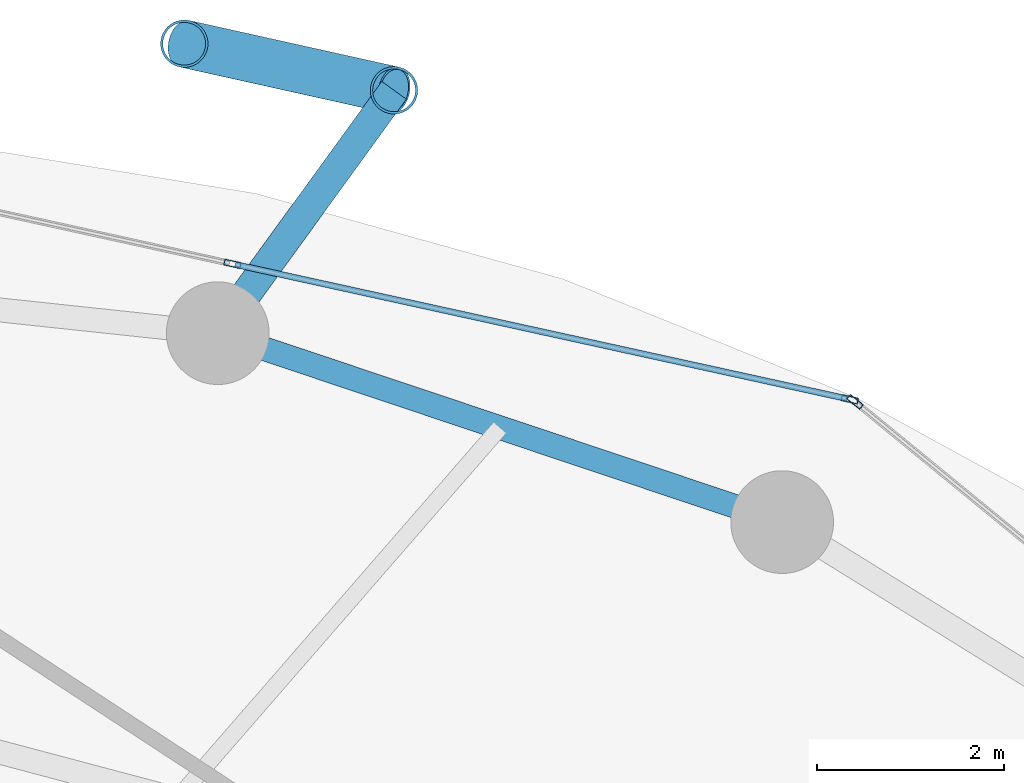
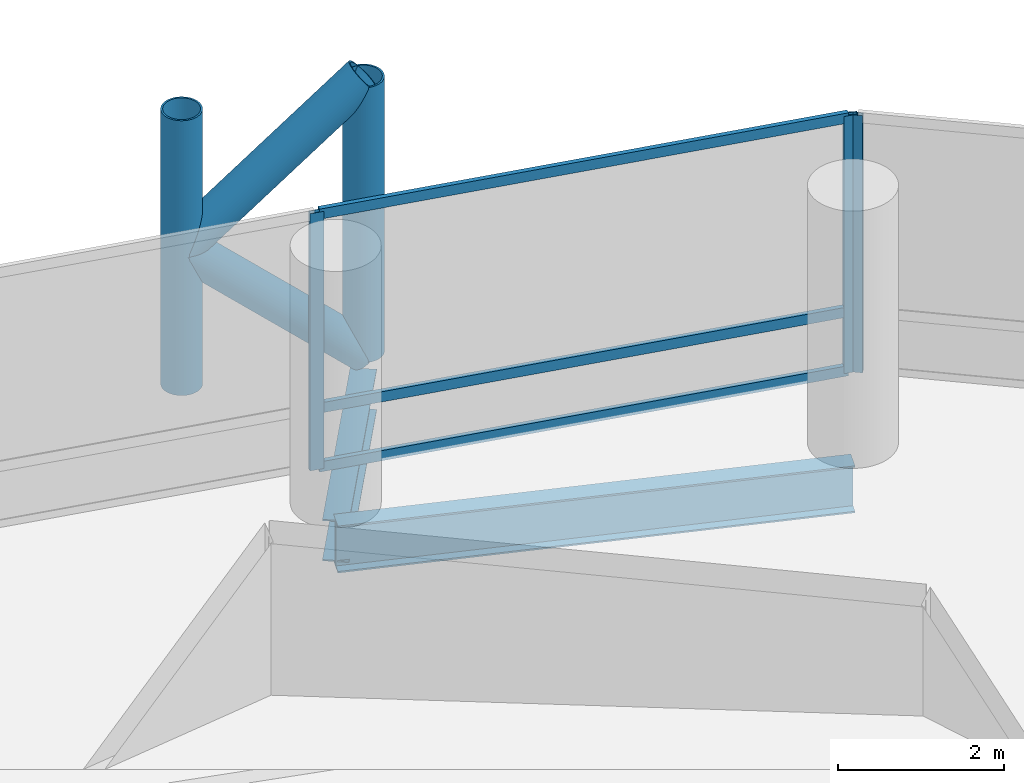
# One storey, part 18 of 24: 10 members, 2 beams, 2 elements without a shape of their own.
"""IFC4 building model written with IfcOpenShell, lengths in metres."""

from ifc_helpers import new_model, si_unit, direction, frame, origin, origin_2d, place, context, subcontext, project, spatial, hollow_rectangle, hollow_circle, i_section, extrude, material, layer, layer_set, material_profile, profile_set, type_object, element, aggregate, save


model = new_model("IFC4")

# Units and contexts
model_context = context("Model", 3, precision=1e-05, world=origin(), true_north=direction((0.0, 1.0)))
body_context = subcontext(model_context, "Body", "Model", "MODEL_VIEW")
ifc_project = project(units=[si_unit("LENGTHUNIT", "METRE"), si_unit("AREAUNIT", "SQUARE_METRE"), si_unit("VOLUMEUNIT", "CUBIC_METRE"), si_unit("PLANEANGLEUNIT", "RADIAN"), si_unit("MASSUNIT", "GRAM", prefix="KILO")], contexts=[model_context])

# Site, building, storey
site_placement = place(None, origin())
site = spatial("IfcSite", under=ifc_project, at=site_placement, CompositionType="ELEMENT")
building_placement = place(site_placement, origin())
building = spatial("IfcBuilding", under=site, at=building_placement, Name="Nuhasar Tower", CompositionType="ELEMENT")
storey_placement = place(building_placement, frame((0.0, 0.0, 41.25)))
storey = spatial("IfcBuildingStorey", under=building, at=storey_placement, Name="L09", CompositionType="ELEMENT", Elevation=41.25)

# Beams
ifc_material_1 = material(Name="Steel S355", Category="steel")
ifc_material_profile_1 = material_profile(ifc_material_1, i_section(OverallWidth=0.256103515625, OverallDepth=0.693115234375, WebThickness=0.014404296875, FlangeThickness=0.023681640625, at=origin_2d()), Name="W27X114")
ifc_profile_set_1 = profile_set([ifc_material_profile_1], Name="Steel S355")
beam_type_1 = type_object("IfcBeamType", Name="BM-RING-W27X114", PredefinedType="SPANDREL", material=ifc_profile_set_1)
beam_1_placement = place(storey_placement, frame((51.52490234375, 44.3369140625, -0.60595703125), z_axis=(-0.948249435708, 0.317526388949, 0.0), x_axis=(-0.317526388949, -0.948249435708, 0.0)))
element("IfcBeam", 1, at=beam_1_placement, inside=storey, type_object=beam_type_1, Name="L09 Perimeter Ring Spandrel 05", PredefinedType="SPANDREL", context=body_context, shape_type="SweptSolid", body=[
    extrude(i_section(OverallWidth=0.256103515625, OverallDepth=0.693115234375, WebThickness=0.014404296875, FlangeThickness=0.023681640625, at=origin_2d()), origin(), (0.0, 0.0, 1.0), 6.371826171875),
])
ifc_material_profile_2 = material_profile(ifc_material_1, i_section(OverallWidth=0.323974609375, OverallDepth=0.611083984375, WebThickness=0.0126953125, FlangeThickness=0.01904296875, at=origin_2d()), Name="W24X104")
ifc_profile_set_2 = profile_set([ifc_material_profile_2], Name="Steel S355")
beam_type_2 = type_object("IfcBeamType", Name="BM-TIE-W24X104", PredefinedType="BEAM", material=ifc_profile_set_2)
beam_2_placement = place(storey_placement, frame((45.48291015625, 46.360107421875, -0.56591796875), z_axis=(0.587439442414, 0.809268127073, 0.0), x_axis=(-0.809268127073, 0.587439442414, 0.0)))
element("IfcBeam", 2, at=beam_2_placement, inside=storey, type_object=beam_type_2, Name="L09 Exoskeleton Node Tie Beam 03", PredefinedType="BEAM", context=body_context, shape_type="SweptSolid", body=[
    extrude(i_section(OverallWidth=0.323974609375, OverallDepth=0.611083984375, WebThickness=0.0126953125, FlangeThickness=0.01904296875, at=origin_2d()), origin(), (0.0, 0.0, 1.0), 3.212646484375),
])

# Curtain wall, member
ifc_material_2 = material(Name="Aluminium 6063-T6", Category="aluminium")
ifc_layer = layer(ifc_material_2, 0.199951171875)
ifc_layer_set = layer_set([ifc_layer], Name="Aluminium 6063-T6")
curtain_wall_type = type_object("IfcCurtainWallType", Name="CW-Z1-OFF", PredefinedType="NOTDEFINED", material=ifc_layer_set)
curtain_wall_1_placement = place(storey_placement, origin())
curtain_wall_1 = element("IfcCurtainWall", 3, at=curtain_wall_1_placement, inside=storey, type_object=curtain_wall_type, Name="L09 Unitised Curtain Wall 02", PredefinedType="NOTDEFINED")
ifc_material_profile_3 = material_profile(ifc_material_2, hollow_rectangle(XDim=0.06494140625, YDim=0.179931640625, WallThickness=0.0048828125, at=origin_2d()), Name="CWM-2")
ifc_profile_set_3 = profile_set([ifc_material_profile_3], Name="Aluminium 6063-T6")
member_type_1 = type_object("IfcMemberType", Name="CW-MUL-S2", PredefinedType="MULLION", material=ifc_profile_set_3)
member_1_placement = place(storey_placement, frame((52.30517578125, 45.62451171875, 0.0), z_axis=(0.0, 0.0, 1.0), x_axis=(-0.633744593376, -0.773542364946, 0.0)))
member_1 = element("IfcMember", 4, at=member_1_placement, type_object=member_type_1, Name="CW-Z1 mullion 2", PredefinedType="MULLION", context=body_context, shape_type="SweptSolid", body=[
    extrude(hollow_rectangle(XDim=0.06494140625, YDim=0.179931640625, WallThickness=0.0048828125, at=origin_2d()), origin(), (0.0, 0.0, 1.0), 3.7900390625),
])
aggregate(curtain_wall_1, [member_1])

# Curtain wall, members
curtain_wall_2_placement = place(storey_placement, origin())
curtain_wall_2 = element("IfcCurtainWall", 5, at=curtain_wall_2_placement, inside=storey, type_object=curtain_wall_type, Name="L09 Unitised Curtain Wall 03", PredefinedType="NOTDEFINED")
member_2_placement = place(storey_placement, frame((52.248291015625, 45.65185546875, 0.0), z_axis=(0.0, 0.0, 1.0), x_axis=(-0.214398737637, -0.976746221544, 0.0)))
member_2 = element("IfcMember", 6, at=member_2_placement, type_object=member_type_1, Name="CW-Z1 mullion 1", PredefinedType="MULLION", context=body_context, shape_type="SweptSolid", body=[
    extrude(hollow_rectangle(XDim=0.06494140625, YDim=0.179931640625, WallThickness=0.0048828125, at=origin_2d()), origin(), (0.0, 0.0, 1.0), 3.7900390625),
])
member_3_placement = place(storey_placement, frame((45.639892578125, 47.1025390625, 0.0), z_axis=(0.0, 0.0, 1.0), x_axis=(-0.214398737637, -0.976746221544, 0.0)))
member_3 = element("IfcMember", 7, at=member_3_placement, type_object=member_type_1, Name="CW-Z1 mullion 2", PredefinedType="MULLION", context=body_context, shape_type="SweptSolid", body=[
    extrude(hollow_rectangle(XDim=0.06494140625, YDim=0.179931640625, WallThickness=0.0048828125, at=origin_2d()), origin(), (0.0, 0.0, 1.0), 3.7900390625),
])
ifc_material_profile_4 = material_profile(ifc_material_2, hollow_rectangle(XDim=0.06494140625, YDim=0.14990234375, WallThickness=0.00439453125, at=origin_2d()), Name="CWT-2")
ifc_profile_set_4 = profile_set([ifc_material_profile_4], Name="Aluminium 6063-T6")
member_type_2 = type_object("IfcMemberType", Name="CW-TRN-S2", PredefinedType="USERDEFINED", material=ifc_profile_set_4)
member_4_placement = place(storey_placement, frame((52.216552734375, 45.658935546875, 0.032470703125), z_axis=(-0.976749553792, 0.214383556196, 0.0), x_axis=(-0.214383556196, -0.976749553792, 0.0)))
member_4 = element("IfcMember", 8, at=member_4_placement, type_object=member_type_2, Name="CW-Z1 transom 1.1", ObjectType="TRANSOM", PredefinedType="USERDEFINED", context=body_context, shape_type="SweptSolid", body=[
    extrude(hollow_rectangle(XDim=0.06494140625, YDim=0.14990234375, WallThickness=0.00439453125, at=origin_2d()), origin(), (0.0, 0.0, 1.0), 6.70068359375),
])
member_5_placement = place(storey_placement, frame((52.216552734375, 45.658935546875, 0.89990234375), z_axis=(-0.976749553792, 0.214383556196, 0.0), x_axis=(-0.214383556196, -0.976749553792, 0.0)))
member_5 = element("IfcMember", 9, at=member_5_placement, type_object=member_type_2, Name="CW-Z1 transom 1.2", ObjectType="TRANSOM", PredefinedType="USERDEFINED", context=body_context, shape_type="SweptSolid", body=[
    extrude(hollow_rectangle(XDim=0.06494140625, YDim=0.14990234375, WallThickness=0.00439453125, at=origin_2d()), origin(), (0.0, 0.0, 1.0), 6.70068359375),
])
member_6_placement = place(storey_placement, frame((52.216552734375, 45.658935546875, 3.757568359375), z_axis=(-0.976749553792, 0.214383556196, 0.0), x_axis=(-0.214383556196, -0.976749553792, 0.0)))
member_6 = element("IfcMember", 10, at=member_6_placement, type_object=member_type_2, Name="CW-Z1 transom 1.3", ObjectType="TRANSOM", PredefinedType="USERDEFINED", context=body_context, shape_type="SweptSolid", body=[
    extrude(hollow_rectangle(XDim=0.06494140625, YDim=0.14990234375, WallThickness=0.00439453125, at=origin_2d()), origin(), (0.0, 0.0, 1.0), 6.70068359375),
])
aggregate(curtain_wall_2, [member_2, member_3, member_4, member_5, member_6])

# Members
ifc_material_3 = material(Name="Steel S460", Category="steel")
ifc_material_profile_5 = material_profile(ifc_material_3, hollow_circle(Radius=0.25390625, WallThickness=0.025390625, at=origin_2d()), Name="HSS508X25.4")
ifc_profile_set_5 = profile_set([ifc_material_profile_5], Name="Steel S460")
member_type_3 = type_object("IfcMemberType", Name="EXO-BRONZE-508", PredefinedType="BRACE", material=ifc_profile_set_5)
for number, where, z_axis, x_axis, name in (
    (11, (47.3701171875, 48.9599609375, 0.0), (0.0, 0.0, 1.0), (1.0, 0.0, 0.0), "L09 Exoskeleton Chord Column EC-03A"),
    (12, (45.1240234375, 49.458984375, 0.0), (0.0, 0.0, 1.0), (1.0, 0.0, 0.0), "L09 Exoskeleton Chord Column EC-03B"),
):
    element("IfcMember", number, at=place(storey_placement, frame(where, z_axis=z_axis, x_axis=x_axis)), inside=storey, type_object=member_type_3, Name=name, PredefinedType="BRACE", context=body_context, shape_type="SweptSolid", body=[
        extrude(hollow_circle(Radius=0.25390625, WallThickness=0.025390625, at=origin_2d()), origin(), (0.0, 0.0, 1.0), 4.050048828125),
    ])
member_7_placement = place(storey_placement, frame((47.3701171875, 48.9599609375, 0.0), z_axis=(-0.732821471909, 0.162813813976, 0.660654487828), x_axis=(-0.216885517571, -0.97619704582, 0.0)))
element("IfcMember", 13, at=member_7_placement, inside=storey, type_object=member_type_3, Name="L09 Bronze Diagrid Brace W1-03", PredefinedType="BRACE", context=body_context, shape_type="SweptSolid", body=[
    extrude(hollow_circle(Radius=0.25390625, WallThickness=0.025390625, at=origin_2d()), origin(), (0.0, 0.0, 1.0), 3.06494140625),
])
member_8_placement = place(storey_placement, frame((45.1240234375, 49.458984375, 2.02490234375), z_axis=(0.732782908552, -0.162805246204, 0.660699372439), x_axis=(0.216885517571, 0.97619704582, 0.0)))
element("IfcMember", 14, at=member_8_placement, inside=storey, type_object=member_type_3, Name="L09 Bronze Diagrid Brace W2-03", PredefinedType="BRACE", context=body_context, shape_type="SweptSolid", body=[
    extrude(hollow_circle(Radius=0.25390625, WallThickness=0.025390625, at=origin_2d()), origin(), (0.0, 0.0, 1.0), 3.065185546875),
])

save(model, "model.ifc")
